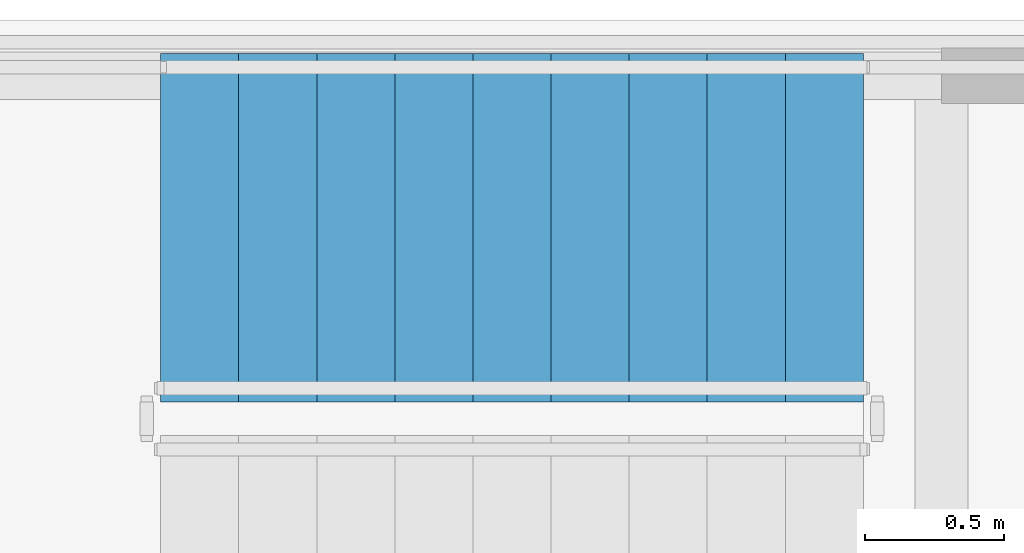
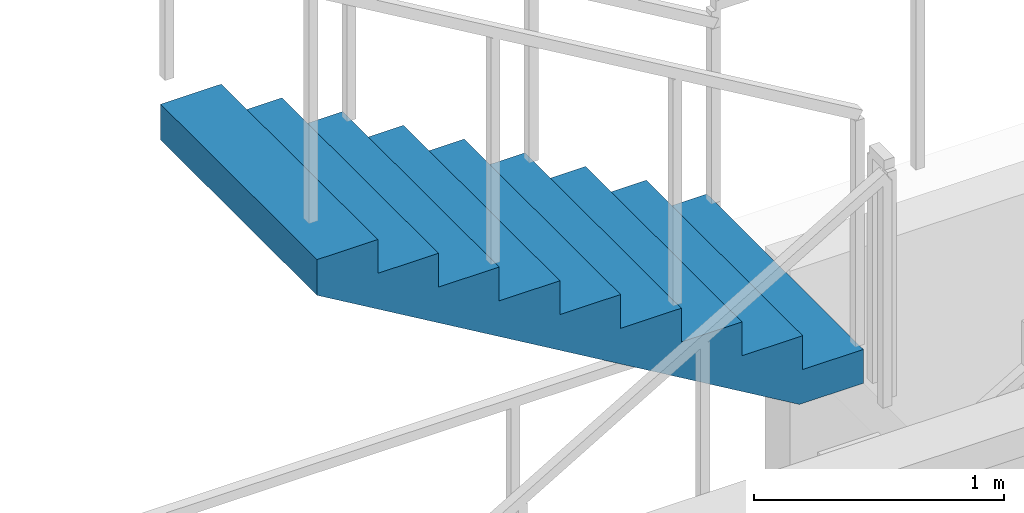
# One storey, part 20 of 24: 1 stair flight, 1 element without a shape of its own.
"""IFC4 building model written with IfcOpenShell, lengths in metres."""

from ifc_helpers import new_model, si_unit, direction, frame, origin, place, context, subcontext, project, spatial, polyline, outline, extrude, material, type_object, element, aggregate, save


model = new_model("IFC4")

# Units and contexts
model_context = context("Model", 3, precision=1e-05, world=origin(), true_north=direction((0.0, 1.0)))
body_context = subcontext(model_context, "Body", "Model", "MODEL_VIEW")
ifc_project = project(units=[si_unit("LENGTHUNIT", "METRE"), si_unit("AREAUNIT", "SQUARE_METRE"), si_unit("VOLUMEUNIT", "CUBIC_METRE"), si_unit("PLANEANGLEUNIT", "RADIAN"), si_unit("MASSUNIT", "GRAM", prefix="KILO")], contexts=[model_context])

# Site, building, storey
site_placement = place(None, origin())
site = spatial("IfcSite", under=ifc_project, at=site_placement, CompositionType="ELEMENT")
building_placement = place(site_placement, origin())
building = spatial("IfcBuilding", under=site, at=building_placement, Name="Zarnakvel Exchange Tower", CompositionType="ELEMENT")
storey_placement = place(building_placement, frame((0.0, 0.0, 205.60009765625)))
storey = spatial("IfcBuildingStorey", under=building, at=storey_placement, Name="L57", CompositionType="ELEMENT", Elevation=205.60009765625)

# Stair, stair flight
ifc_material = material(Name="Concrete C40/50", Category="concrete")
stair_type = type_object("IfcStairType", Name="STR-05", PredefinedType="HALF_TURN_STAIR", material=ifc_material)
stair_placement = place(storey_placement, origin())
stair = element("IfcStair", 1, at=stair_placement, inside=storey, type_object=stair_type, Name="L57 Spiral Sky-Terrace Connecting Stair ST-13", PredefinedType="HALF_TURN_STAIR")
stair_flight_type = type_object("IfcStairFlightType", Name="FLT-05", PredefinedType="STRAIGHT", material=ifc_material)
stair_flight_placement = place(storey_placement, frame((-0.22998046875, 19.215087890625, 1.64990234375), z_axis=(0.0, 0.0, 1.0), x_axis=(-1.0, 0.0, 0.0)))
stair_flight = element("IfcStairFlight", 2, at=stair_flight_placement, type_object=stair_flight_type, Name="ST-13 flight 2", NumberOfRisers=10, NumberOfTreads=9, PredefinedType="STRAIGHT", RiserHeight=0.165, TreadLength=0.28, context=body_context, shape_type="SweptSolid", body=[
    extrude(outline(polyline([(0.0, 0.0), (0.0, 0.1650390625), (0.280029296875, 0.1650390625), (0.280029296875, 0.330078125), (0.56005859375, 0.330078125), (0.56005859375, 0.4951171875), (0.840087890625, 0.4951171875), (0.840087890625, 0.659912109375), (1.1201171875, 0.659912109375), (1.1201171875, 0.824951171875), (1.39990234375, 0.824951171875), (1.39990234375, 0.989990234375), (1.679931640625, 0.989990234375), (1.679931640625, 1.155029296875), (1.9599609375, 1.155029296875), (1.9599609375, 1.320068359375), (2.239990234375, 1.320068359375), (2.239990234375, 1.485107421875), (2.52001953125, 1.485107421875), (2.52001953125, 1.64990234375), (2.52001953125, 1.31103515625), (0.295166015625, 0.0), (0.0, 0.0)])), frame((0.0, 0.625, 0.0), z_axis=(0.0, -1.0, 0.0), x_axis=(1.0, 0.0, 0.0)), (0.0, 0.0, 1.0), 1.25),
])
aggregate(stair, [stair_flight])

save(model, "model.ifc")
